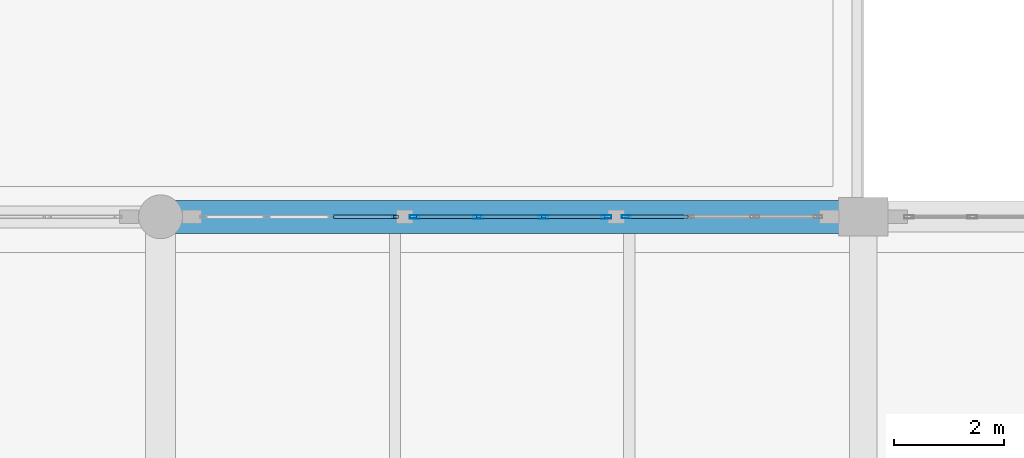
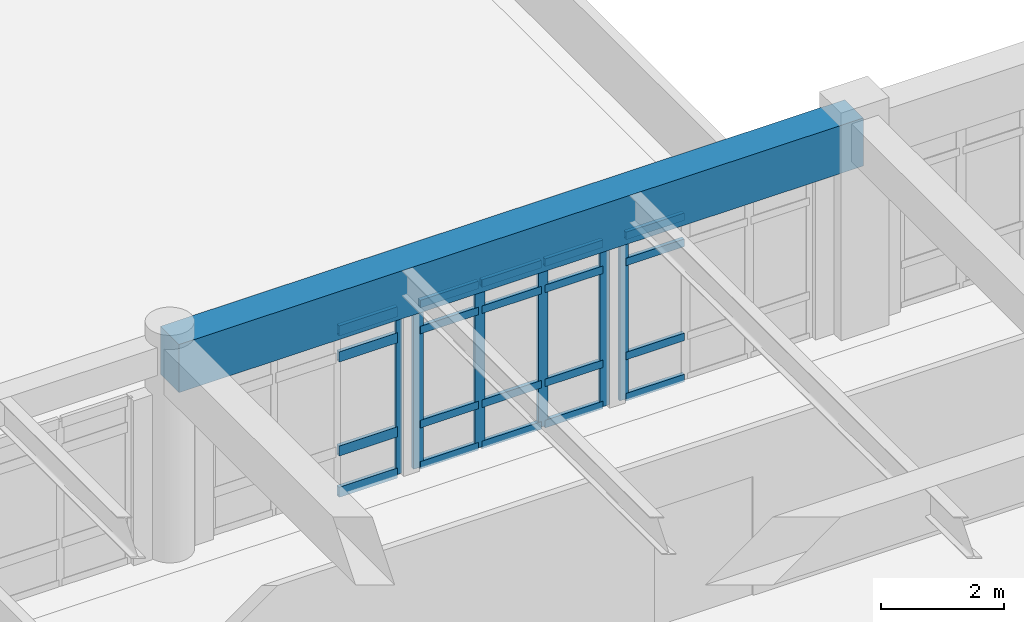
# One storey, part 59 of 109: 26 members, 1 beam, 3 elements without a shape of their own.
"""IFC4 building model written with IfcOpenShell, lengths in metres."""

from ifc_helpers import new_model, si_unit, direction, frame, origin, origin_2d, place, context, subcontext, project, spatial, rectangle, hollow_rectangle, extrude, material, layer, layer_set, material_profile, profile_set, type_object, element, aggregate, save


model = new_model("IFC4")

# Units and contexts
model_context = context("Model", 3, precision=1e-05, world=origin(), true_north=direction((0.0, 1.0)))
body_context = subcontext(model_context, "Body", "Model", "MODEL_VIEW")
ifc_project = project(units=[si_unit("LENGTHUNIT", "METRE"), si_unit("AREAUNIT", "SQUARE_METRE"), si_unit("VOLUMEUNIT", "CUBIC_METRE"), si_unit("PLANEANGLEUNIT", "RADIAN"), si_unit("MASSUNIT", "GRAM", prefix="KILO")], contexts=[model_context])

# Site, building, storey
site_placement = place(None, origin())
site = spatial("IfcSite", under=ifc_project, at=site_placement, CompositionType="ELEMENT")
building_placement = place(site_placement, origin())
building = spatial("IfcBuilding", under=site, at=building_placement, Name="Fikremerkos Civic Library", CompositionType="ELEMENT")
storey_placement = place(building_placement, frame((0.0, 0.0, 5.39990234375)))
storey = spatial("IfcBuildingStorey", under=building, at=storey_placement, Name="L01", CompositionType="ELEMENT", Elevation=5.39990234375)

# Curtain wall, members
ifc_material_1 = material(Name="Anodized aluminium Frame", Category="aluminium")
ifc_layer_1 = layer(ifc_material_1, 0.159912109375, Name="Anodized aluminium Frame")
ifc_layer_set_1 = layer_set([ifc_layer_1], Name="Anodized aluminium Frame")
curtain_wall_type_1 = type_object("IfcCurtainWallType", Name="Unitised curtain wall CW-17 4600x3600", PredefinedType="USERDEFINED", material=ifc_layer_set_1)
curtain_wall_1_placement = place(storey_placement, origin())
curtain_wall_1 = element("IfcCurtainWall", 1, at=curtain_wall_1_placement, inside=storey, type_object=curtain_wall_type_1, Name="Unitised curtain wall CW-17 L01 #107", ObjectType="UNITISED CURTAIN WALL", PredefinedType="USERDEFINED")
ifc_material_profile_1 = material_profile(ifc_material_1, hollow_rectangle(XDim=0.06494140625, YDim=0.179931640625, WallThickness=0.00439453125, at=origin_2d()), Name="ALU 180x65x4.5")
ifc_profile_set_1 = profile_set([ifc_material_profile_1], Name="Anodized aluminium Frame")
member_type_1 = type_object("IfcMemberType", Name="Curtain mullion CWM-01 ALU 180x65x4.5", PredefinedType="MULLION", material=ifc_profile_set_1)
member_1_placement = place(storey_placement, frame((139.03173828125, 40.800048828125, 0.0), z_axis=(0.0, 0.0, 1.0), x_axis=(0.0, 1.0, 0.0)))
member_1 = element("IfcMember", 2, at=member_1_placement, type_object=member_type_1, Name="CW-17 mullion 1", PredefinedType="MULLION", context=body_context, shape_type="SweptSolid", body=[
    extrude(hollow_rectangle(XDim=0.06494140625, YDim=0.179931640625, WallThickness=0.00439453125, at=origin_2d()), origin(), (0.0, 0.0, 1.0), 3.260009765625),
])
member_2_placement = place(storey_placement, frame((140.18310546875, 40.800048828125, 0.0), z_axis=(0.0, 0.0, 1.0), x_axis=(0.0, 1.0, 0.0)))
member_2 = element("IfcMember", 3, at=member_2_placement, type_object=member_type_1, Name="CW-17 mullion 2", PredefinedType="MULLION", context=body_context, shape_type="SweptSolid", body=[
    extrude(hollow_rectangle(XDim=0.06494140625, YDim=0.179931640625, WallThickness=0.00439453125, at=origin_2d()), origin(), (0.0, 0.0, 1.0), 3.260009765625),
])
member_3_placement = place(storey_placement, frame((141.366943359375, 40.800048828125, 0.0), z_axis=(0.0, 0.0, 1.0), x_axis=(0.0, 1.0, 0.0)))
member_3 = element("IfcMember", 4, at=member_3_placement, type_object=member_type_1, Name="CW-17 mullion 3", PredefinedType="MULLION", context=body_context, shape_type="SweptSolid", body=[
    extrude(hollow_rectangle(XDim=0.06494140625, YDim=0.179931640625, WallThickness=0.00439453125, at=origin_2d()), origin(), (0.0, 0.0, 1.0), 3.260009765625),
])
member_4_placement = place(storey_placement, frame((142.51806640625, 40.800048828125, 0.0), z_axis=(0.0, 0.0, 1.0), x_axis=(0.0, 1.0, 0.0)))
member_4 = element("IfcMember", 5, at=member_4_placement, type_object=member_type_1, Name="CW-17 mullion 4", PredefinedType="MULLION", context=body_context, shape_type="SweptSolid", body=[
    extrude(hollow_rectangle(XDim=0.06494140625, YDim=0.179931640625, WallThickness=0.00439453125, at=origin_2d()), origin(), (0.0, 0.0, 1.0), 3.260009765625),
])

# Curtain wall, member
ifc_layer_2 = layer(ifc_material_1, 0.159912109375, Name="Anodized aluminium Frame")
ifc_layer_set_2 = layer_set([ifc_layer_2], Name="Anodized aluminium Frame")
curtain_wall_type_2 = type_object("IfcCurtainWallType", Name="Unitised curtain wall CW-18 2700x3400", PredefinedType="USERDEFINED", material=ifc_layer_set_2)
curtain_wall_2_placement = place(storey_placement, origin())
curtain_wall_2 = element("IfcCurtainWall", 6, at=curtain_wall_2_placement, inside=storey, type_object=curtain_wall_type_2, Name="Unitised curtain wall CW-18 L01 #108", ObjectType="UNITISED CURTAIN WALL", PredefinedType="USERDEFINED")
ifc_material_profile_2 = material_profile(ifc_material_1, hollow_rectangle(XDim=0.06005859375, YDim=0.159912109375, WallThickness=0.00390625, at=origin_2d()), Name="ALU 160x60x4")
ifc_profile_set_2 = profile_set([ifc_material_profile_2], Name="Anodized aluminium Frame")
member_type_2 = type_object("IfcMemberType", Name="Curtain mullion CWM-02 ALU 160x60x4", PredefinedType="MULLION", material=ifc_profile_set_2)
member_5_placement = place(storey_placement, frame((142.880615234375, 40.800048828125, 0.0), z_axis=(0.0, 0.0, 1.0), x_axis=(0.0, 1.0, 0.0)))
member_5 = element("IfcMember", 7, at=member_5_placement, type_object=member_type_2, Name="CW-18 mullion 1", PredefinedType="MULLION", context=body_context, shape_type="SweptSolid", body=[
    extrude(hollow_rectangle(XDim=0.06005859375, YDim=0.159912109375, WallThickness=0.00390625, at=origin_2d()), origin(), (0.0, 0.0, 1.0), 3.260009765625),
])

ifc_layer_3 = layer(ifc_material_1, 0.159912109375, Name="Anodized aluminium Frame")
ifc_layer_set_3 = layer_set([ifc_layer_3], Name="Anodized aluminium Frame")
curtain_wall_type_3 = type_object("IfcCurtainWallType", Name="Unitised curtain wall CW-16 3100x4100", PredefinedType="USERDEFINED", material=ifc_layer_set_3)
curtain_wall_3_placement = place(storey_placement, origin())
curtain_wall_3 = element("IfcCurtainWall", 8, at=curtain_wall_3_placement, inside=storey, type_object=curtain_wall_type_3, Name="Unitised curtain wall CW-16 L01 #106", ObjectType="UNITISED CURTAIN WALL", PredefinedType="USERDEFINED")
ifc_material_profile_3 = material_profile(ifc_material_1, hollow_rectangle(XDim=0.06005859375, YDim=0.1201171875, WallThickness=0.00390625, at=origin_2d()), Name="ALU 120x60x4")
ifc_profile_set_3 = profile_set([ifc_material_profile_3], Name="Anodized aluminium Frame")
member_type_3 = type_object("IfcMemberType", Name="Curtain mullion CWM-04 ALU 120x60x4", PredefinedType="MULLION", material=ifc_profile_set_3)
member_6_placement = place(storey_placement, frame((138.66943359375, 40.800048828125, 0.0), z_axis=(0.0, 0.0, 1.0), x_axis=(0.0, 1.0, 0.0)))
member_6 = element("IfcMember", 9, at=member_6_placement, type_object=member_type_3, Name="CW-16 mullion 4", PredefinedType="MULLION", context=body_context, shape_type="SweptSolid", body=[
    extrude(hollow_rectangle(XDim=0.06005859375, YDim=0.1201171875, WallThickness=0.00390625, at=origin_2d()), origin(), (0.0, 0.0, 1.0), 3.260009765625),
])

# Member
ifc_material_profile_4 = material_profile(ifc_material_1, hollow_rectangle(XDim=0.070068359375, YDim=0.14990234375, WallThickness=0.00439453125, at=origin_2d()), Name="ALU 150x70x4.5")
ifc_profile_set_4 = profile_set([ifc_material_profile_4], Name="Anodized aluminium Frame")
member_type_4 = type_object("IfcMemberType", Name="Curtain transom CWT-01 ALU 150x70x4.5", PredefinedType="USERDEFINED", material=ifc_profile_set_4)
member_7_placement = place(storey_placement, frame((139.064208984375, 40.800048828125, 0.03515625), z_axis=(1.0, 0.0, 0.0), x_axis=(0.0, 1.0, 0.0)))
member_7 = element("IfcMember", 10, at=member_7_placement, type_object=member_type_4, Name="CW-17 transom 1.1", ObjectType="TRANSOM", PredefinedType="USERDEFINED", context=body_context, shape_type="SweptSolid", body=[
    extrude(hollow_rectangle(XDim=0.070068359375, YDim=0.14990234375, WallThickness=0.00439453125, at=origin_2d()), origin(), (0.0, 0.0, 1.0), 1.08642578125),
])

member_8_placement = place(storey_placement, frame((139.064208984375, 40.800048828125, 0.85009765625), z_axis=(1.0, 0.0, 0.0), x_axis=(0.0, 1.0, 0.0)))
member_8 = element("IfcMember", 11, at=member_8_placement, type_object=member_type_4, Name="CW-17 transom 1.2", ObjectType="TRANSOM", PredefinedType="USERDEFINED", context=body_context, shape_type="SweptSolid", body=[
    extrude(hollow_rectangle(XDim=0.070068359375, YDim=0.14990234375, WallThickness=0.00439453125, at=origin_2d()), origin(), (0.0, 0.0, 1.0), 1.08642578125),
])

member_9_placement = place(storey_placement, frame((139.064208984375, 40.800048828125, 2.710205078125), z_axis=(1.0, 0.0, 0.0), x_axis=(0.0, 1.0, 0.0)))
member_9 = element("IfcMember", 12, at=member_9_placement, type_object=member_type_4, Name="CW-17 transom 1.3", ObjectType="TRANSOM", PredefinedType="USERDEFINED", context=body_context, shape_type="SweptSolid", body=[
    extrude(hollow_rectangle(XDim=0.070068359375, YDim=0.14990234375, WallThickness=0.00439453125, at=origin_2d()), origin(), (0.0, 0.0, 1.0), 1.08642578125),
])

member_10_placement = place(storey_placement, frame((139.064208984375, 40.800048828125, 3.22509765625), z_axis=(1.0, 0.0, 0.0), x_axis=(0.0, 1.0, 0.0)))
member_10 = element("IfcMember", 13, at=member_10_placement, type_object=member_type_4, Name="CW-17 transom 1.4", ObjectType="TRANSOM", PredefinedType="USERDEFINED", context=body_context, shape_type="SweptSolid", body=[
    extrude(hollow_rectangle(XDim=0.070068359375, YDim=0.14990234375, WallThickness=0.00439453125, at=origin_2d()), origin(), (0.0, 0.0, 1.0), 1.08642578125),
])

member_11_placement = place(storey_placement, frame((140.215576171875, 40.800048828125, 0.03515625), z_axis=(1.0, 0.0, 0.0), x_axis=(0.0, 1.0, 0.0)))
member_11 = element("IfcMember", 14, at=member_11_placement, type_object=member_type_4, Name="CW-17 transom 2.1", ObjectType="TRANSOM", PredefinedType="USERDEFINED", context=body_context, shape_type="SweptSolid", body=[
    extrude(hollow_rectangle(XDim=0.070068359375, YDim=0.14990234375, WallThickness=0.00439453125, at=origin_2d()), origin(), (0.0, 0.0, 1.0), 1.118896484375),
])

member_12_placement = place(storey_placement, frame((140.215576171875, 40.800048828125, 0.85009765625), z_axis=(1.0, 0.0, 0.0), x_axis=(0.0, 1.0, 0.0)))
member_12 = element("IfcMember", 15, at=member_12_placement, type_object=member_type_4, Name="CW-17 transom 2.2", ObjectType="TRANSOM", PredefinedType="USERDEFINED", context=body_context, shape_type="SweptSolid", body=[
    extrude(hollow_rectangle(XDim=0.070068359375, YDim=0.14990234375, WallThickness=0.00439453125, at=origin_2d()), origin(), (0.0, 0.0, 1.0), 1.118896484375),
])

member_13_placement = place(storey_placement, frame((140.215576171875, 40.800048828125, 2.710205078125), z_axis=(1.0, 0.0, 0.0), x_axis=(0.0, 1.0, 0.0)))
member_13 = element("IfcMember", 16, at=member_13_placement, type_object=member_type_4, Name="CW-17 transom 2.3", ObjectType="TRANSOM", PredefinedType="USERDEFINED", context=body_context, shape_type="SweptSolid", body=[
    extrude(hollow_rectangle(XDim=0.070068359375, YDim=0.14990234375, WallThickness=0.00439453125, at=origin_2d()), origin(), (0.0, 0.0, 1.0), 1.118896484375),
])

member_14_placement = place(storey_placement, frame((140.215576171875, 40.800048828125, 3.22509765625), z_axis=(1.0, 0.0, 0.0), x_axis=(0.0, 1.0, 0.0)))
member_14 = element("IfcMember", 17, at=member_14_placement, type_object=member_type_4, Name="CW-17 transom 2.4", ObjectType="TRANSOM", PredefinedType="USERDEFINED", context=body_context, shape_type="SweptSolid", body=[
    extrude(hollow_rectangle(XDim=0.070068359375, YDim=0.14990234375, WallThickness=0.00439453125, at=origin_2d()), origin(), (0.0, 0.0, 1.0), 1.118896484375),
])

member_15_placement = place(storey_placement, frame((141.3994140625, 40.800048828125, 0.03515625), z_axis=(1.0, 0.0, 0.0), x_axis=(0.0, 1.0, 0.0)))
member_15 = element("IfcMember", 18, at=member_15_placement, type_object=member_type_4, Name="CW-17 transom 3.1", ObjectType="TRANSOM", PredefinedType="USERDEFINED", context=body_context, shape_type="SweptSolid", body=[
    extrude(hollow_rectangle(XDim=0.070068359375, YDim=0.14990234375, WallThickness=0.00439453125, at=origin_2d()), origin(), (0.0, 0.0, 1.0), 1.086181640625),
])

member_16_placement = place(storey_placement, frame((141.3994140625, 40.800048828125, 0.85009765625), z_axis=(1.0, 0.0, 0.0), x_axis=(0.0, 1.0, 0.0)))
member_16 = element("IfcMember", 19, at=member_16_placement, type_object=member_type_4, Name="CW-17 transom 3.2", ObjectType="TRANSOM", PredefinedType="USERDEFINED", context=body_context, shape_type="SweptSolid", body=[
    extrude(hollow_rectangle(XDim=0.070068359375, YDim=0.14990234375, WallThickness=0.00439453125, at=origin_2d()), origin(), (0.0, 0.0, 1.0), 1.086181640625),
])

member_17_placement = place(storey_placement, frame((141.3994140625, 40.800048828125, 2.710205078125), z_axis=(1.0, 0.0, 0.0), x_axis=(0.0, 1.0, 0.0)))
member_17 = element("IfcMember", 20, at=member_17_placement, type_object=member_type_4, Name="CW-17 transom 3.3", ObjectType="TRANSOM", PredefinedType="USERDEFINED", context=body_context, shape_type="SweptSolid", body=[
    extrude(hollow_rectangle(XDim=0.070068359375, YDim=0.14990234375, WallThickness=0.00439453125, at=origin_2d()), origin(), (0.0, 0.0, 1.0), 1.086181640625),
])

member_18_placement = place(storey_placement, frame((141.3994140625, 40.800048828125, 3.22509765625), z_axis=(1.0, 0.0, 0.0), x_axis=(0.0, 1.0, 0.0)))
member_18 = element("IfcMember", 21, at=member_18_placement, type_object=member_type_4, Name="CW-17 transom 3.4", ObjectType="TRANSOM", PredefinedType="USERDEFINED", context=body_context, shape_type="SweptSolid", body=[
    extrude(hollow_rectangle(XDim=0.070068359375, YDim=0.14990234375, WallThickness=0.00439453125, at=origin_2d()), origin(), (0.0, 0.0, 1.0), 1.086181640625),
])

aggregate(curtain_wall_1, [member_1, member_2, member_3, member_4, member_7, member_8, member_9, member_10, member_11, member_12, member_13, member_14, member_15, member_16, member_17, member_18])

member_19_placement = place(storey_placement, frame((142.91064453125, 40.800048828125, 0.03515625), z_axis=(1.0, 0.0, 0.0), x_axis=(0.0, 1.0, 0.0)))
member_19 = element("IfcMember", 22, at=member_19_placement, type_object=member_type_4, Name="CW-18 transom 1.1", ObjectType="TRANSOM", PredefinedType="USERDEFINED", context=body_context, shape_type="SweptSolid", body=[
    extrude(hollow_rectangle(XDim=0.070068359375, YDim=0.14990234375, WallThickness=0.00439453125, at=origin_2d()), origin(), (0.0, 0.0, 1.0), 1.09375),
])

member_20_placement = place(storey_placement, frame((142.91064453125, 40.800048828125, 0.85009765625), z_axis=(1.0, 0.0, 0.0), x_axis=(0.0, 1.0, 0.0)))
member_20 = element("IfcMember", 23, at=member_20_placement, type_object=member_type_4, Name="CW-18 transom 1.2", ObjectType="TRANSOM", PredefinedType="USERDEFINED", context=body_context, shape_type="SweptSolid", body=[
    extrude(hollow_rectangle(XDim=0.070068359375, YDim=0.14990234375, WallThickness=0.00439453125, at=origin_2d()), origin(), (0.0, 0.0, 1.0), 1.09375),
])

member_21_placement = place(storey_placement, frame((142.91064453125, 40.800048828125, 2.710205078125), z_axis=(1.0, 0.0, 0.0), x_axis=(0.0, 1.0, 0.0)))
member_21 = element("IfcMember", 24, at=member_21_placement, type_object=member_type_4, Name="CW-18 transom 1.3", ObjectType="TRANSOM", PredefinedType="USERDEFINED", context=body_context, shape_type="SweptSolid", body=[
    extrude(hollow_rectangle(XDim=0.070068359375, YDim=0.14990234375, WallThickness=0.00439453125, at=origin_2d()), origin(), (0.0, 0.0, 1.0), 1.09375),
])

member_22_placement = place(storey_placement, frame((142.91064453125, 40.800048828125, 3.22509765625), z_axis=(1.0, 0.0, 0.0), x_axis=(0.0, 1.0, 0.0)))
member_22 = element("IfcMember", 25, at=member_22_placement, type_object=member_type_4, Name="CW-18 transom 1.4", ObjectType="TRANSOM", PredefinedType="USERDEFINED", context=body_context, shape_type="SweptSolid", body=[
    extrude(hollow_rectangle(XDim=0.070068359375, YDim=0.14990234375, WallThickness=0.00439453125, at=origin_2d()), origin(), (0.0, 0.0, 1.0), 1.09375),
])

aggregate(curtain_wall_2, [member_5, member_19, member_20, member_21, member_22])

ifc_material_profile_5 = material_profile(ifc_material_1, hollow_rectangle(XDim=0.070068359375, YDim=0.199951171875, WallThickness=0.0048828125, at=origin_2d()), Name="ALU 200x70x5")
ifc_profile_set_5 = profile_set([ifc_material_profile_5], Name="Anodized aluminium Frame")
member_type_5 = type_object("IfcMemberType", Name="Curtain transom CWT-04 ALU 200x70x5", PredefinedType="USERDEFINED", material=ifc_profile_set_5)
member_23_placement = place(storey_placement, frame((137.545654296875, 40.800048828125, 0.03515625), z_axis=(1.0, 0.0, 0.0), x_axis=(0.0, 1.0, 0.0)))
member_23 = element("IfcMember", 26, at=member_23_placement, type_object=member_type_5, Name="CW-16 transom 3.1", ObjectType="TRANSOM", PredefinedType="USERDEFINED", context=body_context, shape_type="SweptSolid", body=[
    extrude(hollow_rectangle(XDim=0.070068359375, YDim=0.199951171875, WallThickness=0.0048828125, at=origin_2d()), origin(), (0.0, 0.0, 1.0), 1.09375),
])

member_24_placement = place(storey_placement, frame((137.545654296875, 40.800048828125, 0.85009765625), z_axis=(1.0, 0.0, 0.0), x_axis=(0.0, 1.0, 0.0)))
member_24 = element("IfcMember", 27, at=member_24_placement, type_object=member_type_5, Name="CW-16 transom 3.2", ObjectType="TRANSOM", PredefinedType="USERDEFINED", context=body_context, shape_type="SweptSolid", body=[
    extrude(hollow_rectangle(XDim=0.070068359375, YDim=0.199951171875, WallThickness=0.0048828125, at=origin_2d()), origin(), (0.0, 0.0, 1.0), 1.09375),
])

member_25_placement = place(storey_placement, frame((137.545654296875, 40.800048828125, 2.710205078125), z_axis=(1.0, 0.0, 0.0), x_axis=(0.0, 1.0, 0.0)))
member_25 = element("IfcMember", 28, at=member_25_placement, type_object=member_type_5, Name="CW-16 transom 3.3", ObjectType="TRANSOM", PredefinedType="USERDEFINED", context=body_context, shape_type="SweptSolid", body=[
    extrude(hollow_rectangle(XDim=0.070068359375, YDim=0.199951171875, WallThickness=0.0048828125, at=origin_2d()), origin(), (0.0, 0.0, 1.0), 1.09375),
])

member_26_placement = place(storey_placement, frame((137.545654296875, 40.800048828125, 3.22509765625), z_axis=(1.0, 0.0, 0.0), x_axis=(0.0, 1.0, 0.0)))
member_26 = element("IfcMember", 29, at=member_26_placement, type_object=member_type_5, Name="CW-16 transom 3.4", ObjectType="TRANSOM", PredefinedType="USERDEFINED", context=body_context, shape_type="SweptSolid", body=[
    extrude(hollow_rectangle(XDim=0.070068359375, YDim=0.199951171875, WallThickness=0.0048828125, at=origin_2d()), origin(), (0.0, 0.0, 1.0), 1.09375),
])

aggregate(curtain_wall_3, [member_6, member_23, member_24, member_25, member_26])

# Beam
ifc_material_2 = material(Name="Concrete C40/50", Category="concrete")
ifc_material_profile_6 = material_profile(ifc_material_2, rectangle(XDim=0.60009765625, YDim=0.949951171875, at=origin_2d()), Name="RC 600x950")
ifc_profile_set_6 = profile_set([ifc_material_profile_6], Name="Concrete C40/50")
beam_type = type_object("IfcBeamType", Name="Primary girder BM-01 RC 600x950", PredefinedType="BEAM", material=ifc_profile_set_6)
beam_placement = place(storey_placement, frame((134.39990234375, 40.800048828125, 3.7451171875), z_axis=(1.0, 0.0, 0.0), x_axis=(0.0, 1.0, 0.0)))
element("IfcBeam", 30, at=beam_placement, inside=storey, type_object=beam_type, Name="Primary girder BM-01 L01 grid H", PredefinedType="BEAM", context=body_context, shape_type="SweptSolid", body=[
    extrude(rectangle(XDim=0.60009765625, YDim=0.949951171875, at=origin_2d()), origin(), (0.0, 0.0, 1.0), 12.800048828125),
])

save(model, "model.ifc")
